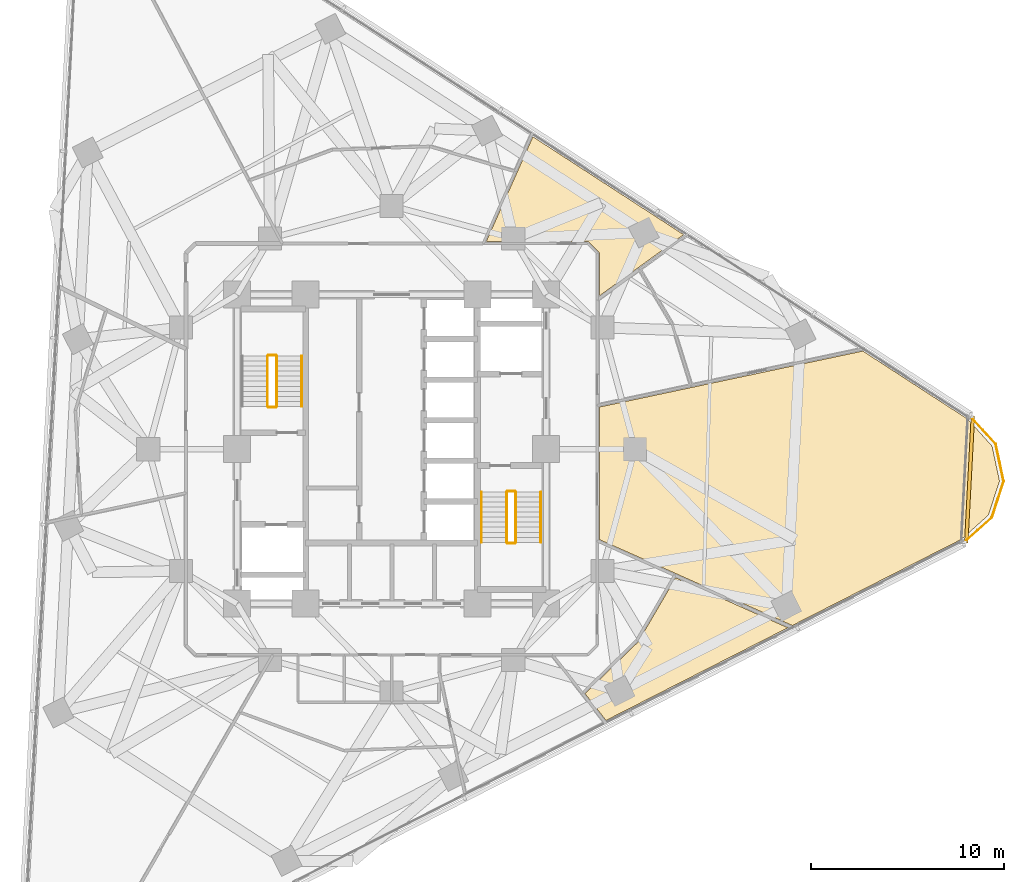
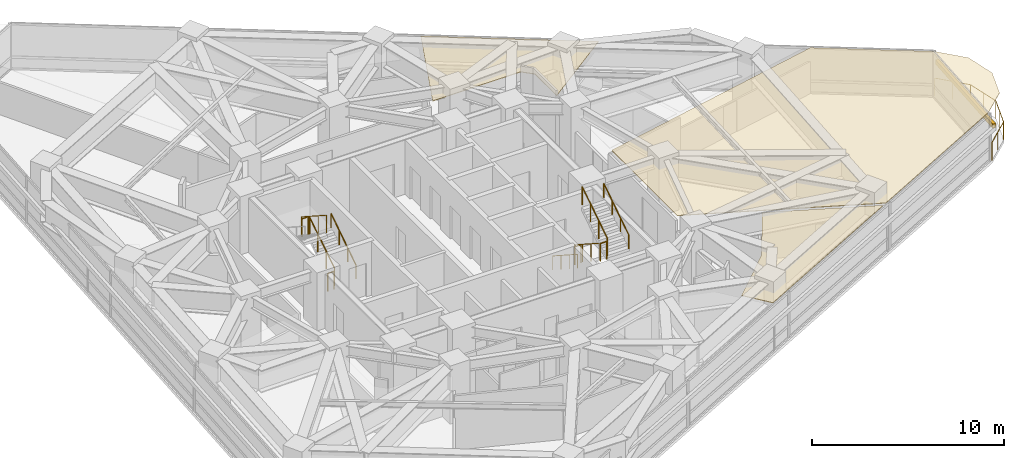
# One storey, part 14 of 15: 12 railings, 3 coverings, 1 shading device.
"""IFC4 building model written with IfcOpenShell, lengths in metres."""

from ifc_helpers import new_model, si_unit, direction, frame, origin, origin_2d, place, context, subcontext, project, spatial, polyline, rectangle, circle, outline, extrude, material, layer, layer_set, type_object, element, save


model = new_model("IFC4")

# Units and contexts
model_context = context("Model", 3, precision=1e-05, world=origin(), true_north=direction((0.0, 1.0)))
body_context = subcontext(model_context, "Body", "Model", "MODEL_VIEW")
ifc_project = project(units=[si_unit("LENGTHUNIT", "METRE"), si_unit("AREAUNIT", "SQUARE_METRE"), si_unit("VOLUMEUNIT", "CUBIC_METRE"), si_unit("PLANEANGLEUNIT", "RADIAN"), si_unit("MASSUNIT", "GRAM", prefix="KILO")], contexts=[model_context])

# Site, building, storey
site_placement = place(None, origin())
site = spatial("IfcSite", under=ifc_project, at=site_placement, CompositionType="ELEMENT")
building_placement = place(site_placement, origin())
building = spatial("IfcBuilding", under=site, at=building_placement, Name="Terralouvre Media Tower", CompositionType="ELEMENT")
storey_placement = place(building_placement, frame((0.0, 0.0, 145.800048828125)))
storey = spatial("IfcBuildingStorey", under=building, at=storey_placement, Name="L37", CompositionType="ELEMENT", Elevation=145.800048828125)

# Coverings
ifc_material_1 = material(Name="Perforated aluminium acoustic ceiling baffle", Category="aluminium")
ifc_layer_1 = layer(ifc_material_1, 0.0400390625, Name="Perforated Acoustic Metal Tile Ceiling CL-AC1")
ifc_layer_set_1 = layer_set([ifc_layer_1], Name="Perforated aluminium acoustic ceiling baffle")
covering_type = type_object("IfcCoveringType", Name="Perforated Acoustic Metal Tile Ceiling CL-AC1", PredefinedType="CEILING", material=ifc_layer_set_1)
covering_1_placement = place(storey_placement, frame((0.0, 0.0, 2.93994140625), z_axis=(0.0, 0.0, 1.0), x_axis=(0.891006524188, 0.45399049974, 0.0)))
element("IfcCovering", 1, at=covering_1_placement, inside=storey, type_object=covering_type, Name="L37 Foreign Copy Desk Office 6 Acoustic Ceiling", PredefinedType="CEILING", context=body_context, shape_type="SweptSolid", body=[
    extrude(outline(polyline([(6.8583984375, -14.675537109375), (6.8505859375, -14.68017578125), (6.84228515625, -14.683837890625), (6.833984375, -14.68701171875), (3.17724609375, -15.822021484375), (3.513671875, -17.5517578125), (14.084228515625, -17.55224609375), (10.07861328125, -12.604248046875), (6.8583984375, -14.675537109375)])), origin(), (0.0, 0.0, 1.0), 0.0400390625),
])
covering_2_placement = place(storey_placement, frame((0.0, 0.0, 2.93994140625), z_axis=(0.0, 0.0, 1.0), x_axis=(0.891006524188, 0.45399049974, 0.0)))
element("IfcCovering", 2, at=covering_2_placement, inside=storey, type_object=covering_type, Name="L37 Morning Rundown Briefing Room 7 Acoustic Ceiling", PredefinedType="CEILING", context=body_context, shape_type="SweptSolid", body=[
    extrude(outline(polyline([(10.5693359375, -2.935302734375), (7.455078125, -9.047607421875), (10.177490234375, -12.40869140625), (14.341796875, -17.55224609375), (24.1708984375, -17.55224609375), (25.986083984375, -17.06494140625), (27.29345703125, -15.758056640625), (27.7724609375, -13.972412109375), (27.28515625, -12.156982421875), (24.046875, -6.547119140625), (15.29052734375, -4.200439453125), (10.5693359375, -2.935302734375)])), origin(), (0.0, 0.0, 1.0), 0.0400390625),
])
covering_3_placement = place(storey_placement, frame((0.0, 0.0, 2.93994140625), z_axis=(0.0, 0.0, 1.0), x_axis=(0.891006524188, 0.45399049974, 0.0)))
element("IfcCovering", 3, at=covering_3_placement, inside=storey, type_object=covering_type, Name="L37 Newsroom Tea Pantry 10 Acoustic Ceiling", PredefinedType="CEILING", context=body_context, shape_type="SweptSolid", body=[
    extrude(outline(polyline([(9.24267578125, 7.35546875), (13.924072265625, 4.97021484375), (13.9326171875, 4.96533203125), (13.940673828125, 4.959716796875), (13.947998046875, 4.953369140625), (13.954833984375, 4.946044921875), (13.960693359375, 4.9384765625), (13.966064453125, 4.929931640625), (13.97021484375, 4.92138671875), (13.973876953125, 4.912109375), (14.1923828125, 4.239501953125), (14.19482421875, 4.230224609375), (14.196533203125, 4.220458984375), (14.197265625, 4.210693359375), (14.197021484375, 4.200927734375), (14.195556640625, 4.191162109375), (14.193603515625, 4.181640625), (14.1904296875, 4.17236328125), (14.186279296875, 4.163330078125), (13.180419921875, 2.18896484375), (15.645263671875, 2.5791015625), (18.51611328125, 3.033935546875), (13.861083984375, 11.095947265625), (12.294677734375, 9.82666015625), (9.24267578125, 7.35546875)])), origin(), (0.0, 0.0, 1.0), 0.0400390625),
])

# Railings
ifc_material_2 = material(Name="Stainless steel 316 handrail and balustrade", Category="steel")
ifc_layer_2 = layer(ifc_material_2, 0.06005859375, Name="Roof Edge Safety Guardrail GR-ROOF1")
ifc_layer_set_2 = layer_set([ifc_layer_2], Name="Stainless steel 316 handrail and balustrade")
railing_type_1 = type_object("IfcRailingType", Name="Roof Edge Safety Guardrail GR-ROOF1", PredefinedType="GUARDRAIL", material=ifc_layer_set_2)
railing_1_placement = place(storey_placement, frame((29.61572265625, -4.845947265625, 0.0)))
element("IfcRailing", 4, at=railing_1_placement, inside=storey, type_object=railing_type_1, Name="L37 Wind-Corner Perimeter Safety Guardrail C1", PredefinedType="GUARDRAIL", context=body_context, shape_type="SweptSolid", body=[
    extrude(circle(Radius=0.02099609375, at=origin_2d()), frame((0.0, 0.0, 1.12890625), z_axis=(0.743312666239, 0.668944153281, 0.0), x_axis=(-0.668944153281, 0.743312666239, 0.0)), (0.0, 0.0, 1.0), 1.96630859375),
    extrude(circle(Radius=0.02099609375, at=origin_2d()), frame((1.461669921875, 1.3154296875, 1.12890625), z_axis=(0.309178723202, 0.95100395221, 0.0), x_axis=(-0.95100395221, 0.309178723202, 0.0)), (0.0, 0.0, 1.0), 1.96630859375),
    extrude(circle(Radius=0.02099609375, at=origin_2d()), frame((2.069580078125, 3.185302734375, 1.12890625), z_axis=(-0.207968640809, 0.978135493907, 0.0), x_axis=(-0.978135493907, -0.207968640809, 0.0)), (0.0, 0.0, 1.0), 1.96630859375),
    extrude(circle(Radius=0.02099609375, at=origin_2d()), frame((1.66064453125, 5.108642578125, 1.12890625), z_axis=(-0.669335064293, 0.742960679786, 0.0), x_axis=(-0.742960679786, -0.669335064293, 0.0)), (0.0, 0.0, 1.0), 1.96630859375),
    extrude(circle(Radius=0.01904296875, at=origin_2d()), origin(), (0.0, 0.0, 1.0), 1.10791015625),
    extrude(circle(Radius=0.01904296875, at=origin_2d()), frame((0.73095703125, 0.65771484375, 0.0)), (0.0, 0.0, 1.0), 1.10791015625),
    extrude(circle(Radius=0.01904296875, at=origin_2d()), frame((1.461669921875, 1.3154296875, 0.0)), (0.0, 0.0, 1.0), 1.10791015625),
    extrude(circle(Radius=0.01904296875, at=origin_2d()), frame((1.765625, 2.25048828125, 0.0)), (0.0, 0.0, 1.0), 1.10791015625),
    extrude(circle(Radius=0.01904296875, at=origin_2d()), frame((2.069580078125, 3.185302734375, 0.0)), (0.0, 0.0, 1.0), 1.10791015625),
    extrude(circle(Radius=0.01904296875, at=origin_2d()), frame((1.865234375, 4.14697265625, 0.0)), (0.0, 0.0, 1.0), 1.10791015625),
    extrude(circle(Radius=0.01904296875, at=origin_2d()), frame((1.66064453125, 5.108642578125, 0.0)), (0.0, 0.0, 1.0), 1.10791015625),
    extrude(circle(Radius=0.01904296875, at=origin_2d()), frame((1.00244140625, 5.839111328125, 0.0)), (0.0, 0.0, 1.0), 1.10791015625),
    extrude(circle(Radius=0.01904296875, at=origin_2d()), frame((0.344482421875, 6.569580078125, 0.0)), (0.0, 0.0, 1.0), 1.10791015625),
])
ifc_material_3 = material(Name="Stainless steel 316 handrail and balustrade", Category="steel")
ifc_layer_3 = layer(ifc_material_3, 0.050048828125, Name="Stair Flight Wall Handrail HR-INT1")
ifc_layer_set_3 = layer_set([ifc_layer_3], Name="Stainless steel 316 handrail and balustrade")
railing_type_2 = type_object("IfcRailingType", Name="Stair Flight Wall Handrail HR-INT1", PredefinedType="HANDRAIL", material=ifc_layer_set_3)
railing_2_placement = place(storey_placement, frame((-4.64990234375, 2.219970703125, 0.168212890625)))
element("IfcRailing", 5, at=railing_2_placement, inside=storey, type_object=railing_type_2, Name="L37 ST-01 stair handrail 1", PredefinedType="HANDRAIL", context=body_context, shape_type="SweptSolid", body=[
    extrude(circle(Radius=0.02392578125, at=origin_2d()), frame((0.0, 0.0, 0.8759765625), z_axis=(0.0, 0.839684365666, 0.543074733399), x_axis=(-1.0, 0.0, 0.0)), (0.0, 0.0, 1.0), 3.096435546875),
    extrude(circle(Radius=0.02099609375, at=origin_2d()), origin(), (0.0, 0.0, 1.0), 0.851806640625),
    extrude(circle(Radius=0.02099609375, at=origin_2d()), frame((0.0, 0.86669921875, 0.560546875)), (0.0, 0.0, 1.0), 0.851806640625),
    extrude(circle(Radius=0.02099609375, at=origin_2d()), frame((0.0, 1.7333984375, 1.12109375)), (0.0, 0.0, 1.0), 0.851806640625),
    extrude(circle(Radius=0.02099609375, at=origin_2d()), frame((0.0, 2.60009765625, 1.681640625)), (0.0, 0.0, 1.0), 0.851806640625),
])
railing_3_placement = place(storey_placement, frame((4.64990234375, -2.219970703125, 0.168212890625)))
element("IfcRailing", 6, at=railing_3_placement, inside=storey, type_object=railing_type_2, Name="L37 ST-02 stair handrail 1", PredefinedType="HANDRAIL", context=body_context, shape_type="SweptSolid", body=[
    extrude(circle(Radius=0.02392578125, at=origin_2d()), frame((0.0, 0.0, 0.8759765625), z_axis=(0.0, -0.839684365666, 0.543074733399), x_axis=(1.0, 0.0, 0.0)), (0.0, 0.0, 1.0), 3.096435546875),
    extrude(circle(Radius=0.02099609375, at=origin_2d()), origin(), (0.0, 0.0, 1.0), 0.851806640625),
    extrude(circle(Radius=0.02099609375, at=origin_2d()), frame((0.0, -0.86669921875, 0.560546875)), (0.0, 0.0, 1.0), 0.851806640625),
    extrude(circle(Radius=0.02099609375, at=origin_2d()), frame((0.0, -1.7333984375, 1.12109375)), (0.0, 0.0, 1.0), 0.851806640625),
    extrude(circle(Radius=0.02099609375, at=origin_2d()), frame((0.0, -2.60009765625, 1.681640625)), (0.0, 0.0, 1.0), 0.851806640625),
])
railing_4_placement = place(storey_placement, frame((7.72998046875, -4.820068359375, 2.01806640625)))
element("IfcRailing", 7, at=railing_4_placement, inside=storey, type_object=railing_type_2, Name="L37 ST-02 stair handrail 2", PredefinedType="HANDRAIL", context=body_context, shape_type="SweptSolid", body=[
    extrude(circle(Radius=0.02392578125, at=origin_2d()), frame((0.0, 0.0, 0.8759765625), z_axis=(0.0, 0.839648411786, 0.543130320075), x_axis=(-1.0, 0.0, 0.0)), (0.0, 0.0, 1.0), 3.0966796875),
    extrude(circle(Radius=0.02099609375, at=origin_2d()), origin(), (0.0, 0.0, 1.0), 0.851806640625),
    extrude(circle(Radius=0.02099609375, at=origin_2d()), frame((0.0, 0.86669921875, 0.560546875)), (0.0, 0.0, 1.0), 0.851806640625),
    extrude(circle(Radius=0.02099609375, at=origin_2d()), frame((0.0, 1.7333984375, 1.121337890625)), (0.0, 0.0, 1.0), 0.851806640625),
    extrude(circle(Radius=0.02099609375, at=origin_2d()), frame((0.0, 2.60009765625, 1.681884765625)), (0.0, 0.0, 1.0), 0.851806640625),
])
ifc_material_4 = material(Name="Stainless steel 316 handrail and balustrade", Category="steel")
ifc_layer_4 = layer(ifc_material_4, 0.050048828125, Name="Stairwell Safety Guardrail GR-INT1")
ifc_layer_set_4 = layer_set([ifc_layer_4], Name="Stainless steel 316 handrail and balustrade")
railing_type_3 = type_object("IfcRailingType", Name="Stairwell Safety Guardrail GR-INT1", PredefinedType="GUARDRAIL", material=ifc_layer_set_4)
railing_5_placement = place(storey_placement, frame((-5.949951171875, 2.219970703125, 0.168212890625)))
element("IfcRailing", 8, at=railing_5_placement, inside=storey, type_object=railing_type_3, Name="L37 ST-01 stair guard 1", PredefinedType="GUARDRAIL", context=body_context, shape_type="SweptSolid", body=[
    extrude(circle(Radius=0.02392578125, at=origin_2d()), frame((0.0, 0.0, 1.1259765625), z_axis=(0.0, 0.839684365666, 0.543074733399), x_axis=(-1.0, 0.0, 0.0)), (0.0, 0.0, 1.0), 3.096435546875),
    extrude(circle(Radius=0.02099609375, at=origin_2d()), origin(), (0.0, 0.0, 1.0), 1.101806640625),
    extrude(circle(Radius=0.02099609375, at=origin_2d()), frame((0.0, 0.86669921875, 0.560546875)), (0.0, 0.0, 1.0), 1.101806640625),
    extrude(circle(Radius=0.02099609375, at=origin_2d()), frame((0.0, 1.7333984375, 1.12109375)), (0.0, 0.0, 1.0), 1.101806640625),
    extrude(circle(Radius=0.02099609375, at=origin_2d()), frame((0.0, 2.60009765625, 1.681640625)), (0.0, 0.0, 1.0), 1.101806640625),
])
railing_6_placement = place(storey_placement, frame((-6.0, 4.8701171875, 1.849853515625)))
element("IfcRailing", 9, at=railing_6_placement, inside=storey, type_object=railing_type_3, Name="L37 ST-01 stair guard 2", PredefinedType="GUARDRAIL", context=body_context, shape_type="SweptSolid", body=[
    extrude(circle(Radius=0.02392578125, at=origin_2d()), frame((0.0, 0.0, 1.1259765625), z_axis=(-1.0, 0.0, 0.0), x_axis=(0.0, -1.0, 0.0)), (0.0, 0.0, 1.0), 0.3798828125),
    extrude(circle(Radius=0.02099609375, at=origin_2d()), origin(), (0.0, 0.0, 1.0), 1.101806640625),
    extrude(circle(Radius=0.02099609375, at=origin_2d()), frame((-0.3798828125, 0.0, 0.0)), (0.0, 0.0, 1.0), 1.101806640625),
])
railing_7_placement = place(storey_placement, frame((-6.429931640625, 4.820068359375, 2.01806640625)))
element("IfcRailing", 10, at=railing_7_placement, inside=storey, type_object=railing_type_3, Name="L37 ST-01 stair guard 3", PredefinedType="GUARDRAIL", context=body_context, shape_type="SweptSolid", body=[
    extrude(circle(Radius=0.02392578125, at=origin_2d()), frame((0.0, 0.0, 1.1259765625), z_axis=(0.0, -0.839648411786, 0.543130320075), x_axis=(1.0, 0.0, 0.0)), (0.0, 0.0, 1.0), 3.0966796875),
    extrude(circle(Radius=0.02099609375, at=origin_2d()), origin(), (0.0, 0.0, 1.0), 1.101806640625),
    extrude(circle(Radius=0.02099609375, at=origin_2d()), frame((0.0, -0.86669921875, 0.560546875)), (0.0, 0.0, 1.0), 1.101806640625),
    extrude(circle(Radius=0.02099609375, at=origin_2d()), frame((0.0, -1.7333984375, 1.121337890625)), (0.0, 0.0, 1.0), 1.101806640625),
    extrude(circle(Radius=0.02099609375, at=origin_2d()), frame((0.0, -2.60009765625, 1.681884765625)), (0.0, 0.0, 1.0), 1.101806640625),
])
railing_8_placement = place(storey_placement, frame((-6.0, 2.169921875, 0.0)))
element("IfcRailing", 11, at=railing_8_placement, inside=storey, type_object=railing_type_3, Name="L37 ST-01 stair guard 4", PredefinedType="GUARDRAIL", context=body_context, shape_type="SweptSolid", body=[
    extrude(circle(Radius=0.02392578125, at=origin_2d()), frame((0.0, 0.0, 1.1259765625), z_axis=(-1.0, 0.0, 0.0), x_axis=(0.0, -1.0, 0.0)), (0.0, 0.0, 1.0), 0.3798828125),
    extrude(circle(Radius=0.02099609375, at=origin_2d()), origin(), (0.0, 0.0, 1.0), 1.101806640625),
    extrude(circle(Radius=0.02099609375, at=origin_2d()), frame((-0.3798828125, 0.0, 0.0)), (0.0, 0.0, 1.0), 1.101806640625),
])
railing_9_placement = place(storey_placement, frame((5.949951171875, -2.219970703125, 0.168212890625)))
element("IfcRailing", 12, at=railing_9_placement, inside=storey, type_object=railing_type_3, Name="L37 ST-02 stair guard 1", PredefinedType="GUARDRAIL", context=body_context, shape_type="SweptSolid", body=[
    extrude(circle(Radius=0.02392578125, at=origin_2d()), frame((0.0, 0.0, 1.1259765625), z_axis=(0.0, -0.839684365666, 0.543074733399), x_axis=(1.0, 0.0, 0.0)), (0.0, 0.0, 1.0), 3.096435546875),
    extrude(circle(Radius=0.02099609375, at=origin_2d()), origin(), (0.0, 0.0, 1.0), 1.101806640625),
    extrude(circle(Radius=0.02099609375, at=origin_2d()), frame((0.0, -0.86669921875, 0.560546875)), (0.0, 0.0, 1.0), 1.101806640625),
    extrude(circle(Radius=0.02099609375, at=origin_2d()), frame((0.0, -1.7333984375, 1.12109375)), (0.0, 0.0, 1.0), 1.101806640625),
    extrude(circle(Radius=0.02099609375, at=origin_2d()), frame((0.0, -2.60009765625, 1.681640625)), (0.0, 0.0, 1.0), 1.101806640625),
])
railing_10_placement = place(storey_placement, frame((6.0, -4.8701171875, 1.849853515625)))
element("IfcRailing", 13, at=railing_10_placement, inside=storey, type_object=railing_type_3, Name="L37 ST-02 stair guard 2", PredefinedType="GUARDRAIL", context=body_context, shape_type="SweptSolid", body=[
    extrude(circle(Radius=0.02392578125, at=origin_2d()), frame((0.0, 0.0, 1.1259765625), z_axis=(1.0, 0.0, 0.0), x_axis=(0.0, 1.0, 0.0)), (0.0, 0.0, 1.0), 0.3798828125),
    extrude(circle(Radius=0.02099609375, at=origin_2d()), origin(), (0.0, 0.0, 1.0), 1.101806640625),
    extrude(circle(Radius=0.02099609375, at=origin_2d()), frame((0.3798828125, 0.0, 0.0)), (0.0, 0.0, 1.0), 1.101806640625),
])
railing_11_placement = place(storey_placement, frame((6.429931640625, -4.820068359375, 2.01806640625)))
element("IfcRailing", 14, at=railing_11_placement, inside=storey, type_object=railing_type_3, Name="L37 ST-02 stair guard 3", PredefinedType="GUARDRAIL", context=body_context, shape_type="SweptSolid", body=[
    extrude(circle(Radius=0.02392578125, at=origin_2d()), frame((0.0, 0.0, 1.1259765625), z_axis=(0.0, 0.839648411786, 0.543130320075), x_axis=(-1.0, 0.0, 0.0)), (0.0, 0.0, 1.0), 3.0966796875),
    extrude(circle(Radius=0.02099609375, at=origin_2d()), origin(), (0.0, 0.0, 1.0), 1.101806640625),
    extrude(circle(Radius=0.02099609375, at=origin_2d()), frame((0.0, 0.86669921875, 0.560546875)), (0.0, 0.0, 1.0), 1.101806640625),
    extrude(circle(Radius=0.02099609375, at=origin_2d()), frame((0.0, 1.7333984375, 1.121337890625)), (0.0, 0.0, 1.0), 1.101806640625),
    extrude(circle(Radius=0.02099609375, at=origin_2d()), frame((0.0, 2.60009765625, 1.681884765625)), (0.0, 0.0, 1.0), 1.101806640625),
])
railing_12_placement = place(storey_placement, frame((6.0, -2.169921875, 0.0)))
element("IfcRailing", 15, at=railing_12_placement, inside=storey, type_object=railing_type_3, Name="L37 ST-02 stair guard 4", PredefinedType="GUARDRAIL", context=body_context, shape_type="SweptSolid", body=[
    extrude(circle(Radius=0.02392578125, at=origin_2d()), frame((0.0, 0.0, 1.1259765625), z_axis=(1.0, 0.0, 0.0), x_axis=(0.0, 1.0, 0.0)), (0.0, 0.0, 1.0), 0.3798828125),
    extrude(circle(Radius=0.02099609375, at=origin_2d()), origin(), (0.0, 0.0, 1.0), 1.101806640625),
    extrude(circle(Radius=0.02099609375, at=origin_2d()), frame((0.3798828125, 0.0, 0.0)), (0.0, 0.0, 1.0), 1.101806640625),
])

# Shading device
ifc_material_5 = material(Name="Extruded terracotta baguette sunshade louvres", Category="masonry")
shading_device_type = type_object("IfcShadingDeviceType", Name="Terracotta Baguette Sunshade Louvre Screen TB-LV1", PredefinedType="USERDEFINED", material=ifc_material_5)
shading_device_placement = place(storey_placement, frame((29.922607421875, -1.568115234375, 1.9990234375), z_axis=(0.0, 0.0, 1.0), x_axis=(0.052336823006, 0.998629489329, 0.0)))
element("IfcShadingDevice", 16, at=shading_device_placement, inside=storey, type_object=shading_device_type, Name="CW-L37-C1 Terracotta Baguette Sunshade Louvre", ObjectType="BAGUETTE", PredefinedType="USERDEFINED", context=body_context, shape_type="SweptSolid", body=[
    extrude(rectangle(XDim=6.581787109375, YDim=0.179931640625, at=origin_2d()), origin(), (0.0, 0.0, 1.0), 0.280029296875),
])

save(model, "model.ifc")
